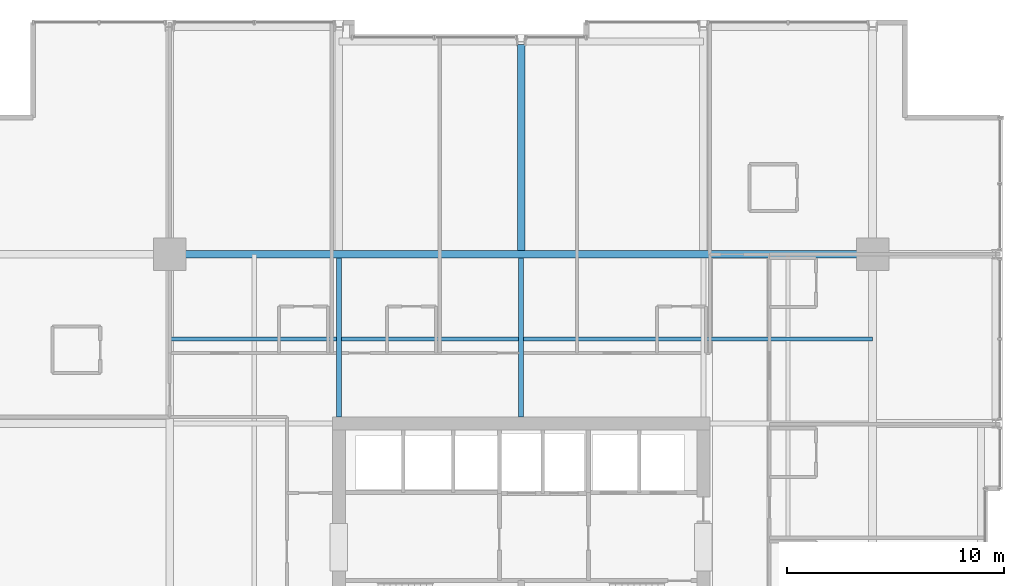
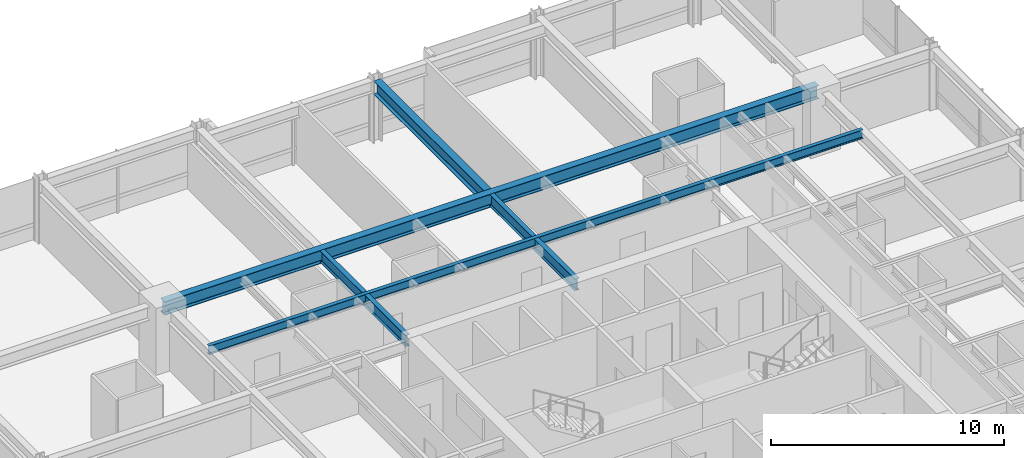
# One storey, part 19 of 34: 5 beams.
"""IFC4 building model written with IfcOpenShell, lengths in metres."""

import ifcopenshell
import ifcopenshell.guid

model = None  # the IFC model being written
_history = None  # IfcOwnerHistory: only IFC2X3 demands one
_inside = {}  # id of a spatial element -> (the spatial element, [elements in it])
_under = {}  # id of a project, library or spatial element -> (it, [spatial elements below it])
_declared = {}  # id of a project -> (the project, [libraries it declares])
_typed = {}  # id of a type object -> (the type object, [elements of that type])
_made_of = {}  # id of a material, layer set ... -> (it, [elements and type objects made of it])


def new_model(schema):
    """Start an empty IFC model of exactly this schema.

    Asked for "IFC4X3", IfcOpenShell would pick the latest addendum, in which some entities
    have other attributes; the version numbers below select the first issue.
    IFC2X3 requires an IfcOwnerHistory on every rooted entity: one is made here for all.
    """
    global model, _history
    if schema == "IFC4X3":
        model = ifcopenshell.file(schema_version=(4, 3, 0, 0))
    else:
        model = ifcopenshell.file(schema=schema)
    _inside.clear()
    _under.clear()
    _declared.clear()
    _typed.clear()
    _made_of.clear()
    _history = None
    if model.schema == "IFC2X3":
        org = make("IfcOrganization", Name="unknown")
        user = make(
            "IfcPersonAndOrganization",
            ThePerson=make("IfcPerson", FamilyName="unknown"),
            TheOrganization=org,
        )
        app = make(
            "IfcApplication",
            ApplicationDeveloper=org,
            Version="unknown",
            ApplicationFullName="unknown",
            ApplicationIdentifier="unknown",
        )
        _history = make(
            "IfcOwnerHistory",
            OwningUser=user,
            OwningApplication=app,
            ChangeAction="ADDED",
            CreationDate=0,
        )
    return model


def make(cls, **values):
    """One entity of the class cls with the attributes given. An attribute that is None is left unset."""
    return model.create_entity(
        cls, **{name: value for name, value in values.items() if value is not None}
    )


def rooted(cls, **values):
    """An entity with a GlobalId (a new one), such as an element, a storey or a relation."""
    return make(cls, GlobalId=ifcopenshell.guid.new(), OwnerHistory=_history, **values)


def si_unit(unit_type, name, prefix=None):
    """IfcSIUnit, for example si_unit("LENGTHUNIT", "METRE", prefix="MILLI")."""
    return make("IfcSIUnit", UnitType=unit_type, Prefix=prefix, Name=name)


def assignment(units):
    """IfcUnitAssignment: the units of a project."""
    return None if units is None else make("IfcUnitAssignment", Units=units)


def point(xyz):
    """IfcCartesianPoint."""
    return None if xyz is None else make("IfcCartesianPoint", Coordinates=xyz)


def direction(xyz):
    """IfcDirection."""
    return None if xyz is None else make("IfcDirection", DirectionRatios=xyz)


def frame(location, z_axis=None, x_axis=None):
    """IfcAxis2Placement3D, a coordinate frame: its origin and axes. An axis left out is left unset."""
    return make(
        "IfcAxis2Placement3D",
        Location=point(location),
        Axis=direction(z_axis),
        RefDirection=direction(x_axis),
    )


def frame_2d(location, x_axis=None):
    """IfcAxis2Placement2D, a coordinate frame in the plane: its origin and x axis."""
    return make(
        "IfcAxis2Placement2D", Location=point(location), RefDirection=direction(x_axis)
    )


def origin():
    """The frame at (0, 0, 0) with its axes left unset."""
    return frame((0.0, 0.0, 0.0))


def origin_2d():
    """The frame at (0, 0) in the plane with its x axis left unset."""
    return frame_2d((0.0, 0.0))


def place(relative_to, where):
    """IfcLocalPlacement: puts the frame where relative to a parent placement (None: the world)."""
    return make(
        "IfcLocalPlacement", PlacementRelTo=relative_to, RelativePlacement=where
    )


def context(
    kind, dimensions, precision=None, world=None, true_north=None, identifier=None
):
    """IfcGeometricRepresentationContext, for example the 3D "Model" context."""
    return make(
        "IfcGeometricRepresentationContext",
        ContextIdentifier=identifier,
        ContextType=kind,
        CoordinateSpaceDimension=dimensions,
        Precision=precision,
        WorldCoordinateSystem=world,
        TrueNorth=true_north,
    )


def subcontext(parent, identifier, kind, view, scale=None):
    """IfcGeometricRepresentationSubContext, for example "Body" below "Model"."""
    return make(
        "IfcGeometricRepresentationSubContext",
        ContextIdentifier=identifier,
        ContextType=kind,
        ParentContext=parent,
        TargetScale=scale,
        TargetView=view,
    )


def project(units=None, contexts=None):
    """IfcProject with its units and contexts."""
    return rooted(
        "IfcProject",
        Name="project",
        RepresentationContexts=contexts,
        UnitsInContext=assignment(units),
    )


def spatial(cls, under=None, at=None, **own):
    """A site, building, storey or space (cls), placed at a placement, below another one or the project."""
    s = rooted(cls, ObjectPlacement=at, **own)
    if under is not None:
        _under.setdefault(under.id(), (under, []))[1].append(s)
    return s


def profile(cls, at=None, kind="AREA", **sizes):
    """A parametric profile (cls). Its sizes go by their IFC names, for example OverallWidth=200.0."""
    return make(cls, ProfileType=kind, Position=at, **sizes)


def i_section(**sizes):
    """IfcIShapeProfileDef."""
    return profile("IfcIShapeProfileDef", **sizes)


def extrude(swept, where, along, depth):
    """IfcExtrudedAreaSolid: the profile swept, set in the frame where, extruded along a direction by depth."""
    return make(
        "IfcExtrudedAreaSolid",
        SweptArea=swept,
        Position=where,
        ExtrudedDirection=direction(along),
        Depth=depth,
    )


def shape(context_of_items, identifier, shape_type, items):
    """IfcShapeRepresentation: the items that make up one representation, for example the "Body"."""
    return make(
        "IfcShapeRepresentation",
        ContextOfItems=context_of_items,
        RepresentationIdentifier=identifier,
        RepresentationType=shape_type,
        Items=items,
    )


def material(Name=None, Category=None):
    """IfcMaterial."""
    return make("IfcMaterial", Name=Name, Category=Category)


def material_profile(
    of_material, cross_section, Name=None, Category=None, Priority=None
):
    """IfcMaterialProfile: a cross section and its material."""
    return make(
        "IfcMaterialProfile",
        Name=Name,
        Material=of_material,
        Profile=cross_section,
        Priority=Priority,
        Category=Category,
    )


def profile_set(profiles, Name=None, composite=None):
    """IfcMaterialProfileSet."""
    return make(
        "IfcMaterialProfileSet",
        Name=Name,
        MaterialProfiles=profiles,
        CompositeProfile=composite,
    )


def made_of(thing, what):
    """Note that an element or type object is made of a material, layer set ...; save() writes the relation."""
    if what is not None:
        _made_of.setdefault(what.id(), (what, []))[1].append(thing)
    return thing


def type_object(cls, material=None, **own):
    """A type object (cls), such as IfcWallType, which elements share."""
    return made_of(rooted(cls, **own), material)


def element(
    cls,
    number,
    at=None,
    inside=None,
    cuts=None,
    type_object=None,
    material=None,
    context=None,
    identifier="Body",
    shape_type=None,
    held_by="IfcProductDefinitionShape",
    body=None,
    shapes=None,
    **own,
):
    """One element of the class cls, such as IfcWall. Its Tag is "e" and its number.

    at: its placement. inside: the storey or other place that contains it. cuts: it is an
    opening in that element (IfcRelVoidsElement). A single representation is given by context,
    identifier, shape_type and body (its items); several are given by shapes. held_by: the class
    of the entity that holds the representations. save() writes the other relations.
    """
    e = rooted(cls, Tag="e%d" % number, ObjectPlacement=at, **own)
    if body is not None:
        shapes = [shape(context, identifier, shape_type, body)]
    if shapes is not None:
        e.Representation = make(held_by, Representations=shapes)
    if inside is not None:
        _inside.setdefault(inside.id(), (inside, []))[1].append(e)
    if cuts is not None:
        rooted(
            "IfcRelVoidsElement", RelatingBuildingElement=cuts, RelatedOpeningElement=e
        )
    if type_object is not None:
        _typed.setdefault(type_object.id(), (type_object, []))[1].append(e)
    return made_of(e, material)


def aggregate(whole, parts):
    """IfcRelAggregates: a whole, such as a stair, and the parts it consists of."""
    return rooted("IfcRelAggregates", RelatingObject=whole, RelatedObjects=parts)


def save(model, path):
    """Write the relations noted so far, then the file.

    IfcRelAggregates (storeys below a building ...), IfcRelContainedInSpatialStructure (elements
    in a storey), IfcRelDefinesByType, IfcRelAssociatesMaterial and IfcRelDeclares: one each for
    every whole, place, type object, material and project.
    """
    for whole, parts in _under.values():
        aggregate(whole, parts)
    for where, things in _inside.values():
        rooted(
            "IfcRelContainedInSpatialStructure",
            RelatedElements=things,
            RelatingStructure=where,
        )
    for kind, things in _typed.values():
        rooted("IfcRelDefinesByType", RelatedObjects=things, RelatingType=kind)
    for what, things in _made_of.values():
        rooted("IfcRelAssociatesMaterial", RelatedObjects=things, RelatingMaterial=what)
    for by, libraries in _declared.values():
        rooted("IfcRelDeclares", RelatingContext=by, RelatedDefinitions=libraries)
    model.write(path)


model = new_model("IFC4")

# Units and contexts
model_context = context("Model", 3, precision=1e-05, world=origin(), true_north=direction((0.0, 1.0)))
body_context = subcontext(model_context, "Body", "Model", "MODEL_VIEW")
ifc_project = project(units=[si_unit("LENGTHUNIT", "METRE"), si_unit("AREAUNIT", "SQUARE_METRE"), si_unit("VOLUMEUNIT", "CUBIC_METRE"), si_unit("PLANEANGLEUNIT", "RADIAN"), si_unit("MASSUNIT", "GRAM", prefix="KILO")], contexts=[model_context])

# Site, building, storey
site_placement = place(None, origin())
site = spatial("IfcSite", under=ifc_project, at=site_placement, CompositionType="ELEMENT")
building_placement = place(site_placement, origin())
building = spatial("IfcBuilding", under=site, at=building_placement, Name="Drelvath Grand Hotel", CompositionType="ELEMENT")
storey_placement = place(building_placement, frame((0.0, 0.0, 126.800048828125)))
storey = spatial("IfcBuildingStorey", under=building, at=storey_placement, Name="L32", CompositionType="ELEMENT", Elevation=126.800048828125)

# Beams
ifc_material = material(Name="Steel ASTM A992 Gr 50", Category="steel")
ifc_material_profile_1 = material_profile(ifc_material, i_section(OverallWidth=0.19140625, OverallDepth=0.4599609375, WebThickness=0.010009765625, FlangeThickness=0.01611328125, FilletRadius=0.01611328125, at=origin_2d()), Name="W18X55")
ifc_profile_set_1 = profile_set([ifc_material_profile_1], Name="Steel ASTM A992 Gr 50")
beam_type_1 = type_object("IfcBeamType", Name="Composite Floor Joist W18X55", PredefinedType="JOIST", material=ifc_profile_set_1)
beam_1_placement = place(storey_placement, frame((-16.199951171875, 39.300048828125, 3.010009765625), z_axis=(1.0, 0.0, 0.0), x_axis=(0.0, 1.0, 0.0)))
element("IfcBeam", 1, at=beam_1_placement, inside=storey, type_object=beam_type_1, Name="L32 Floor Joist J2", PredefinedType="JOIST", context=body_context, shape_type="SweptSolid", body=[
    extrude(i_section(OverallWidth=0.19140625, OverallDepth=0.4599609375, WebThickness=0.010009765625, FlangeThickness=0.01611328125, FilletRadius=0.01611328125, at=origin_2d()), origin(), (0.0, 0.0, 1.0), 32.39990234375),
])
ifc_material_profile_2 = material_profile(ifc_material, i_section(OverallWidth=0.228271484375, OverallDepth=0.607666015625, WebThickness=0.01123046875, FlangeThickness=0.017333984375, FilletRadius=0.02001953125, at=origin_2d()), Name="W24X76")
ifc_profile_set_2 = profile_set([ifc_material_profile_2], Name="Steel ASTM A992 Gr 50")
beam_type_2 = type_object("IfcBeamType", Name="Primary Floor Girder W24X76", PredefinedType="BEAM", material=ifc_profile_set_2)
for number, where, z_axis, x_axis, name in (
    (2, (-8.39990234375, 35.699951171875, 2.93603515625), (0.0, 1.0, 0.0), (-1.0, 0.0, 0.0), "L32 North Core Tie 4"),
    (3, (0.0, 35.699951171875, 2.93603515625), (0.0, 1.0, 0.0), (-1.0, 0.0, 0.0), "L32 North Core Tie 5"),
):
    element("IfcBeam", number, at=place(storey_placement, frame(where, z_axis=z_axis, x_axis=x_axis)), inside=storey, type_object=beam_type_2, Name=name, PredefinedType="BEAM", context=body_context, shape_type="SweptSolid", body=[
        extrude(i_section(OverallWidth=0.228271484375, OverallDepth=0.607666015625, WebThickness=0.01123046875, FlangeThickness=0.017333984375, FilletRadius=0.02001953125, at=origin_2d()), origin(), (0.0, 0.0, 1.0), 7.32275390625),
    ])
ifc_material_profile_3 = material_profile(ifc_material, i_section(OverallWidth=0.354736328125, OverallDepth=0.695556640625, WebThickness=0.015380859375, FlangeThickness=0.025146484375, FilletRadius=0.02392578125, at=origin_2d()), Name="W27X146")
ifc_profile_set_3 = profile_set([ifc_material_profile_3], Name="Steel ASTM A992 Gr 50")
beam_type_3 = type_object("IfcBeamType", Name="Primary Floor Girder W27X146", PredefinedType="BEAM", material=ifc_profile_set_3)
beam_2_placement = place(storey_placement, frame((-16.199951171875, 43.199951171875, 2.892333984375), z_axis=(1.0, 0.0, 0.0), x_axis=(0.0, 1.0, 0.0)))
element("IfcBeam", 4, at=beam_2_placement, inside=storey, type_object=beam_type_3, Name="L32 Mega Ring Girder North", PredefinedType="BEAM", context=body_context, shape_type="SweptSolid", body=[
    extrude(i_section(OverallWidth=0.354736328125, OverallDepth=0.695556640625, WebThickness=0.015380859375, FlangeThickness=0.025146484375, FilletRadius=0.02392578125, at=origin_2d()), origin(), (0.0, 0.0, 1.0), 32.39990234375),
])
beam_3_placement = place(storey_placement, frame((0.0, 43.37744140625, 2.892333984375), z_axis=(0.0, 1.0, 0.0), x_axis=(-1.0, 0.0, 0.0)))
element("IfcBeam", 5, at=beam_3_placement, inside=storey, type_object=beam_type_3, Name="L32 North Wing Girder 5", PredefinedType="BEAM", context=body_context, shape_type="SweptSolid", body=[
    extrude(i_section(OverallWidth=0.354736328125, OverallDepth=0.695556640625, WebThickness=0.015380859375, FlangeThickness=0.025146484375, FilletRadius=0.02392578125, at=origin_2d()), origin(), (0.0, 0.0, 1.0), 9.482666015625),
])

save(model, "model.ifc")
